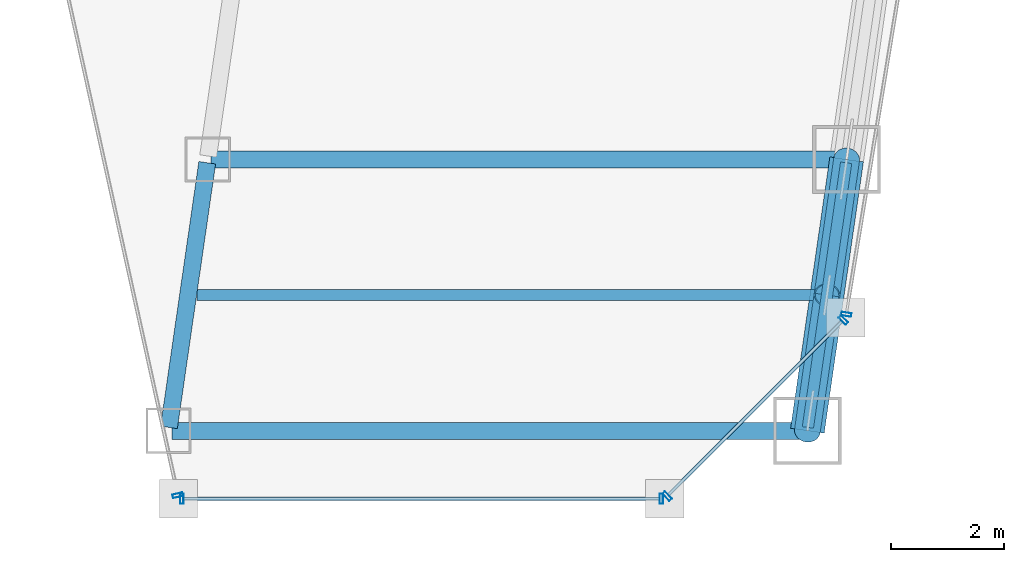
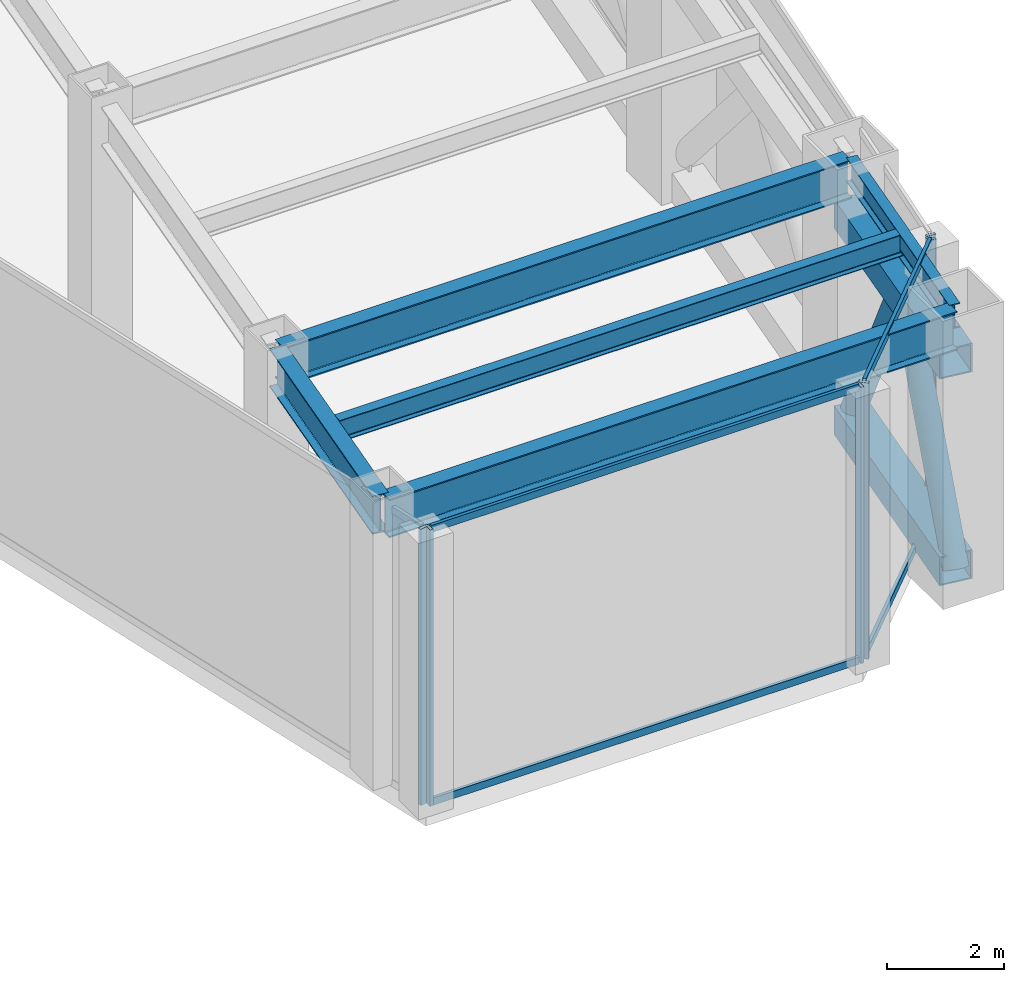
# One storey, part 13 of 35: 14 members, 5 beams, 4 elements without a shape of their own.
"""IFC4 building model written with IfcOpenShell, lengths in metres."""

import ifcopenshell
import ifcopenshell.guid

model = None  # the IFC model being written
_history = None  # IfcOwnerHistory: only IFC2X3 demands one
_inside = {}  # id of a spatial element -> (the spatial element, [elements in it])
_under = {}  # id of a project, library or spatial element -> (it, [spatial elements below it])
_declared = {}  # id of a project -> (the project, [libraries it declares])
_typed = {}  # id of a type object -> (the type object, [elements of that type])
_made_of = {}  # id of a material, layer set ... -> (it, [elements and type objects made of it])


def new_model(schema):
    """Start an empty IFC model of exactly this schema.

    Asked for "IFC4X3", IfcOpenShell would pick the latest addendum, in which some entities
    have other attributes; the version numbers below select the first issue.
    IFC2X3 requires an IfcOwnerHistory on every rooted entity: one is made here for all.
    """
    global model, _history
    if schema == "IFC4X3":
        model = ifcopenshell.file(schema_version=(4, 3, 0, 0))
    else:
        model = ifcopenshell.file(schema=schema)
    _inside.clear()
    _under.clear()
    _declared.clear()
    _typed.clear()
    _made_of.clear()
    _history = None
    if model.schema == "IFC2X3":
        org = make("IfcOrganization", Name="unknown")
        user = make(
            "IfcPersonAndOrganization",
            ThePerson=make("IfcPerson", FamilyName="unknown"),
            TheOrganization=org,
        )
        app = make(
            "IfcApplication",
            ApplicationDeveloper=org,
            Version="unknown",
            ApplicationFullName="unknown",
            ApplicationIdentifier="unknown",
        )
        _history = make(
            "IfcOwnerHistory",
            OwningUser=user,
            OwningApplication=app,
            ChangeAction="ADDED",
            CreationDate=0,
        )
    return model


def make(cls, **values):
    """One entity of the class cls with the attributes given. An attribute that is None is left unset."""
    return model.create_entity(
        cls, **{name: value for name, value in values.items() if value is not None}
    )


def rooted(cls, **values):
    """An entity with a GlobalId (a new one), such as an element, a storey or a relation."""
    return make(cls, GlobalId=ifcopenshell.guid.new(), OwnerHistory=_history, **values)


def si_unit(unit_type, name, prefix=None):
    """IfcSIUnit, for example si_unit("LENGTHUNIT", "METRE", prefix="MILLI")."""
    return make("IfcSIUnit", UnitType=unit_type, Prefix=prefix, Name=name)


def assignment(units):
    """IfcUnitAssignment: the units of a project."""
    return None if units is None else make("IfcUnitAssignment", Units=units)


def point(xyz):
    """IfcCartesianPoint."""
    return None if xyz is None else make("IfcCartesianPoint", Coordinates=xyz)


def direction(xyz):
    """IfcDirection."""
    return None if xyz is None else make("IfcDirection", DirectionRatios=xyz)


def frame(location, z_axis=None, x_axis=None):
    """IfcAxis2Placement3D, a coordinate frame: its origin and axes. An axis left out is left unset."""
    return make(
        "IfcAxis2Placement3D",
        Location=point(location),
        Axis=direction(z_axis),
        RefDirection=direction(x_axis),
    )


def frame_2d(location, x_axis=None):
    """IfcAxis2Placement2D, a coordinate frame in the plane: its origin and x axis."""
    return make(
        "IfcAxis2Placement2D", Location=point(location), RefDirection=direction(x_axis)
    )


def origin():
    """The frame at (0, 0, 0) with its axes left unset."""
    return frame((0.0, 0.0, 0.0))


def origin_2d():
    """The frame at (0, 0) in the plane with its x axis left unset."""
    return frame_2d((0.0, 0.0))


def place(relative_to, where):
    """IfcLocalPlacement: puts the frame where relative to a parent placement (None: the world)."""
    return make(
        "IfcLocalPlacement", PlacementRelTo=relative_to, RelativePlacement=where
    )


def context(
    kind, dimensions, precision=None, world=None, true_north=None, identifier=None
):
    """IfcGeometricRepresentationContext, for example the 3D "Model" context."""
    return make(
        "IfcGeometricRepresentationContext",
        ContextIdentifier=identifier,
        ContextType=kind,
        CoordinateSpaceDimension=dimensions,
        Precision=precision,
        WorldCoordinateSystem=world,
        TrueNorth=true_north,
    )


def subcontext(parent, identifier, kind, view, scale=None):
    """IfcGeometricRepresentationSubContext, for example "Body" below "Model"."""
    return make(
        "IfcGeometricRepresentationSubContext",
        ContextIdentifier=identifier,
        ContextType=kind,
        ParentContext=parent,
        TargetScale=scale,
        TargetView=view,
    )


def project(units=None, contexts=None):
    """IfcProject with its units and contexts."""
    return rooted(
        "IfcProject",
        Name="project",
        RepresentationContexts=contexts,
        UnitsInContext=assignment(units),
    )


def spatial(cls, under=None, at=None, **own):
    """A site, building, storey or space (cls), placed at a placement, below another one or the project."""
    s = rooted(cls, ObjectPlacement=at, **own)
    if under is not None:
        _under.setdefault(under.id(), (under, []))[1].append(s)
    return s


def profile(cls, at=None, kind="AREA", **sizes):
    """A parametric profile (cls). Its sizes go by their IFC names, for example OverallWidth=200.0."""
    return make(cls, ProfileType=kind, Position=at, **sizes)


def hollow_rectangle(**sizes):
    """IfcRectangleHollowProfileDef."""
    return profile("IfcRectangleHollowProfileDef", **sizes)


def hollow_circle(**sizes):
    """IfcCircleHollowProfileDef."""
    return profile("IfcCircleHollowProfileDef", **sizes)


def i_section(**sizes):
    """IfcIShapeProfileDef."""
    return profile("IfcIShapeProfileDef", **sizes)


def extrude(swept, where, along, depth):
    """IfcExtrudedAreaSolid: the profile swept, set in the frame where, extruded along a direction by depth."""
    return make(
        "IfcExtrudedAreaSolid",
        SweptArea=swept,
        Position=where,
        ExtrudedDirection=direction(along),
        Depth=depth,
    )


def shape(context_of_items, identifier, shape_type, items):
    """IfcShapeRepresentation: the items that make up one representation, for example the "Body"."""
    return make(
        "IfcShapeRepresentation",
        ContextOfItems=context_of_items,
        RepresentationIdentifier=identifier,
        RepresentationType=shape_type,
        Items=items,
    )


def material(Name=None, Category=None):
    """IfcMaterial."""
    return make("IfcMaterial", Name=Name, Category=Category)


def material_profile(
    of_material, cross_section, Name=None, Category=None, Priority=None
):
    """IfcMaterialProfile: a cross section and its material."""
    return make(
        "IfcMaterialProfile",
        Name=Name,
        Material=of_material,
        Profile=cross_section,
        Priority=Priority,
        Category=Category,
    )


def profile_set(profiles, Name=None, composite=None):
    """IfcMaterialProfileSet."""
    return make(
        "IfcMaterialProfileSet",
        Name=Name,
        MaterialProfiles=profiles,
        CompositeProfile=composite,
    )


def made_of(thing, what):
    """Note that an element or type object is made of a material, layer set ...; save() writes the relation."""
    if what is not None:
        _made_of.setdefault(what.id(), (what, []))[1].append(thing)
    return thing


def type_object(cls, material=None, **own):
    """A type object (cls), such as IfcWallType, which elements share."""
    return made_of(rooted(cls, **own), material)


def element(
    cls,
    number,
    at=None,
    inside=None,
    cuts=None,
    type_object=None,
    material=None,
    context=None,
    identifier="Body",
    shape_type=None,
    held_by="IfcProductDefinitionShape",
    body=None,
    shapes=None,
    **own,
):
    """One element of the class cls, such as IfcWall. Its Tag is "e" and its number.

    at: its placement. inside: the storey or other place that contains it. cuts: it is an
    opening in that element (IfcRelVoidsElement). A single representation is given by context,
    identifier, shape_type and body (its items); several are given by shapes. held_by: the class
    of the entity that holds the representations. save() writes the other relations.
    """
    e = rooted(cls, Tag="e%d" % number, ObjectPlacement=at, **own)
    if body is not None:
        shapes = [shape(context, identifier, shape_type, body)]
    if shapes is not None:
        e.Representation = make(held_by, Representations=shapes)
    if inside is not None:
        _inside.setdefault(inside.id(), (inside, []))[1].append(e)
    if cuts is not None:
        rooted(
            "IfcRelVoidsElement", RelatingBuildingElement=cuts, RelatedOpeningElement=e
        )
    if type_object is not None:
        _typed.setdefault(type_object.id(), (type_object, []))[1].append(e)
    return made_of(e, material)


def aggregate(whole, parts):
    """IfcRelAggregates: a whole, such as a stair, and the parts it consists of."""
    return rooted("IfcRelAggregates", RelatingObject=whole, RelatedObjects=parts)


def save(model, path):
    """Write the relations noted so far, then the file.

    IfcRelAggregates (storeys below a building ...), IfcRelContainedInSpatialStructure (elements
    in a storey), IfcRelDefinesByType, IfcRelAssociatesMaterial and IfcRelDeclares: one each for
    every whole, place, type object, material and project.
    """
    for whole, parts in _under.values():
        aggregate(whole, parts)
    for where, things in _inside.values():
        rooted(
            "IfcRelContainedInSpatialStructure",
            RelatedElements=things,
            RelatingStructure=where,
        )
    for kind, things in _typed.values():
        rooted("IfcRelDefinesByType", RelatedObjects=things, RelatingType=kind)
    for what, things in _made_of.values():
        rooted("IfcRelAssociatesMaterial", RelatedObjects=things, RelatingMaterial=what)
    for by, libraries in _declared.values():
        rooted("IfcRelDeclares", RelatingContext=by, RelatedDefinitions=libraries)
    model.write(path)


model = new_model("IFC4")

# Units and contexts
model_context = context("Model", 3, precision=1e-05, world=origin(), true_north=direction((0.0, 1.0)))
body_context = subcontext(model_context, "Body", "Model", "MODEL_VIEW")
ifc_project = project(units=[si_unit("LENGTHUNIT", "METRE"), si_unit("AREAUNIT", "SQUARE_METRE"), si_unit("VOLUMEUNIT", "CUBIC_METRE"), si_unit("PLANEANGLEUNIT", "RADIAN"), si_unit("MASSUNIT", "GRAM", prefix="KILO")], contexts=[model_context])

# Site, building, storey
site_placement = place(None, origin())
site = spatial("IfcSite", under=ifc_project, at=site_placement, CompositionType="ELEMENT")
building_placement = place(site_placement, origin())
building = spatial("IfcBuilding", under=site, at=building_placement, Name="Saevonmaru Cultural Tower", CompositionType="ELEMENT")
storey_placement = place(building_placement, frame((0.0, 0.0, 86.800048828125)))
storey = spatial("IfcBuildingStorey", under=building, at=storey_placement, Name="L18", CompositionType="ELEMENT", Elevation=86.800048828125)

# Beams
ifc_material_1 = material(Name="Steel SM420", Category="steel")
ifc_material_profile_1 = material_profile(ifc_material_1, i_section(OverallWidth=0.300048828125, OverallDepth=0.800048828125, WebThickness=0.013916015625, FlangeThickness=0.02587890625, FilletRadius=0.028076171875, at=origin_2d()), Name="H-800x300x14x26")
ifc_profile_set_1 = profile_set([ifc_material_profile_1], Name="Steel SM420")
beam_type_1 = type_object("IfcBeamType", Name="BM-G-H800", PredefinedType="BEAM", material=ifc_profile_set_1)
beam_1_placement = place(storey_placement, frame((36.231689453125, 3.259521484375, 5.349853515625), z_axis=(0.143083234893, 0.989710658674, 0.0), x_axis=(-0.989710658674, 0.143083234893, 0.0)))
element("IfcBeam", 1, at=beam_1_placement, inside=storey, type_object=beam_type_1, Name="L18 East Atrium Girder 1", PredefinedType="BEAM", context=body_context, shape_type="SweptSolid", body=[
    extrude(i_section(OverallWidth=0.300048828125, OverallDepth=0.800048828125, WebThickness=0.013916015625, FlangeThickness=0.02587890625, FilletRadius=0.028076171875, at=origin_2d()), origin(), (0.0, 0.0, 1.0), 4.729736328125),
])
for number, where, z_axis, x_axis, name in (
    (2, (36.282958984375, 3.199951171875, 5.349853515625), (1.0, 0.0, 0.0), (0.0, 1.0, 0.0), "L18 East Wing Transverse Girder 1"),
    (3, (36.97705078125, 8.0, 5.349853515625), (1.0, 0.0, 0.0), (0.0, 1.0, 0.0), "L18 East Wing Transverse Girder 2"),
):
    element("IfcBeam", number, at=place(storey_placement, frame(where, z_axis=z_axis, x_axis=x_axis)), inside=storey, type_object=beam_type_1, Name=name, PredefinedType="BEAM", context=body_context, shape_type="SweptSolid", body=[
        extrude(i_section(OverallWidth=0.300048828125, OverallDepth=0.800048828125, WebThickness=0.013916015625, FlangeThickness=0.02587890625, FilletRadius=0.028076171875, at=origin_2d()), origin(), (0.0, 0.0, 1.0), 11.179931640625),
    ])
ifc_material_2 = material(Name="Steel SM355", Category="steel")
ifc_material_profile_2 = material_profile(ifc_material_2, i_section(OverallWidth=0.199951171875, OverallDepth=0.449951171875, WebThickness=0.009033203125, FlangeThickness=0.013916015625, FilletRadius=0.01806640625, at=origin_2d()), Name="H-450x200x9x14")
ifc_profile_set_2 = profile_set([ifc_material_profile_2], Name="Steel SM355")
beam_type_2 = type_object("IfcBeamType", Name="BM-J-H450", PredefinedType="JOIST", material=ifc_profile_set_2)
beam_2_placement = place(storey_placement, frame((36.72802734375, 5.60009765625, 5.52490234375), z_axis=(1.0, 0.0, 0.0), x_axis=(0.0, 1.0, 0.0)))
element("IfcBeam", 4, at=beam_2_placement, inside=storey, type_object=beam_type_2, Name="L18 East Wing Floor Joist 1", PredefinedType="JOIST", context=body_context, shape_type="SweptSolid", body=[
    extrude(i_section(OverallWidth=0.199951171875, OverallDepth=0.449951171875, WebThickness=0.009033203125, FlangeThickness=0.013916015625, FilletRadius=0.01806640625, at=origin_2d()), origin(), (0.0, 0.0, 1.0), 11.08203125),
])
ifc_material_profile_3 = material_profile(ifc_material_2, i_section(OverallWidth=0.199951171875, OverallDepth=0.5, WebThickness=0.010009765625, FlangeThickness=0.01611328125, FilletRadius=0.02001953125, at=origin_2d()), Name="H-500x200x10x16")
ifc_profile_set_3 = profile_set([ifc_material_profile_3], Name="Steel SM355")
beam_type_3 = type_object("IfcBeamType", Name="BM-SP-H500", PredefinedType="SPANDREL", material=ifc_profile_set_3)
beam_3_placement = place(storey_placement, frame((47.531494140625, 3.259521484375, 5.5), z_axis=(0.14313379491, 0.989703347855, 0.0), x_axis=(-0.989703347855, 0.14313379491, 0.0)))
element("IfcBeam", 5, at=beam_3_placement, inside=storey, type_object=beam_type_3, Name="L18 East Splayed Spandrel 1", PredefinedType="SPANDREL", context=body_context, shape_type="SweptSolid", body=[
    extrude(i_section(OverallWidth=0.199951171875, OverallDepth=0.5, WebThickness=0.010009765625, FlangeThickness=0.01611328125, FilletRadius=0.02001953125, at=origin_2d()), origin(), (0.0, 0.0, 1.0), 4.729736328125),
])

# Members
ifc_material_profile_4 = material_profile(ifc_material_1, hollow_circle(Radius=0.228515625, WallThickness=0.02001953125, at=origin_2d()), Name="CHS-457.2x20")
ifc_profile_set_4 = profile_set([ifc_material_profile_4], Name="Steel SM420")
member_type_1 = type_object("IfcMemberType", Name="MB-BBR-CHS457", PredefinedType="BRACE", material=ifc_profile_set_4)
for number, where, z_axis, x_axis, name in (
    (6, (47.52294921875, 3.199951171875, 0.300048828125), (0.070325997619, 0.486198932905, 0.871013692028), (-0.989700324196, 0.14315470054, 0.0), "L18 Belt Truss Diagonal BE1-1"),
    (7, (48.217041015625, 8.0, 0.300048828125), (-0.070278476077, -0.486162857025, 0.871037664082), (0.989712522053, -0.143070345253, 0.0), "L18 Belt Truss Diagonal BE1-2"),
):
    element("IfcMember", number, at=place(storey_placement, frame(where, z_axis=z_axis, x_axis=x_axis)), inside=storey, type_object=member_type_1, Name=name, PredefinedType="BRACE", context=body_context, shape_type="SweptSolid", body=[
        extrude(hollow_circle(Radius=0.228515625, WallThickness=0.02001953125, at=origin_2d()), origin(), (0.0, 0.0, 1.0), 4.9365234375),
    ])
ifc_material_profile_5 = material_profile(ifc_material_1, hollow_rectangle(XDim=0.60009765625, YDim=0.60009765625, WallThickness=0.028076171875, at=origin_2d()), Name="BOX-600x600x28")
ifc_profile_set_5 = profile_set([ifc_material_profile_5], Name="Steel SM420")
member_type_2 = type_object("IfcMemberType", Name="MB-BCH-BOX600", PredefinedType="CHORD", material=ifc_profile_set_5)
for number, where, z_axis, x_axis, name in (
    (8, (47.52294921875, 3.199951171875, 0.300048828125), (0.143112525432, 0.989706423676, 0.0), (-0.989706423676, 0.143112525432, 0.0), "L18 Belt Truss Bottom Chord BE1"),
    (9, (47.52294921875, 3.199951171875, 4.599853515625), (0.143112525432, 0.989706423676, 0.0), (-0.989706423676, 0.143112525432, 0.0), "L18 Belt Truss Top Chord BE1"),
):
    element("IfcMember", number, at=place(storey_placement, frame(where, z_axis=z_axis, x_axis=x_axis)), inside=storey, type_object=member_type_2, Name=name, PredefinedType="CHORD", context=body_context, shape_type="SweptSolid", body=[
        extrude(hollow_rectangle(XDim=0.60009765625, YDim=0.60009765625, WallThickness=0.028076171875, at=origin_2d()), origin(), (0.0, 0.0, 1.0), 4.849853515625),
    ])

# Curtain wall, member
ifc_material_3 = material(Name="Satin Bronze Anodised Aluminium", Category="aluminium")
curtain_wall_type = type_object("IfcCurtainWallType", Name="CW-TYP-A", PredefinedType="NOTDEFINED", material=ifc_material_3)
curtain_wall_1_placement = place(storey_placement, origin())
curtain_wall_1 = element("IfcCurtainWall", 10, at=curtain_wall_1_placement, inside=storey, type_object=curtain_wall_type, Name="L18 Wind-Floor Acoustic Louvre Screen E5", PredefinedType="NOTDEFINED")
ifc_material_profile_6 = material_profile(ifc_material_3, hollow_rectangle(XDim=0.06494140625, YDim=0.179931640625, WallThickness=0.00390625, at=origin_2d()), Name="ALU-MULL-180x65x4")
ifc_profile_set_6 = profile_set([ifc_material_profile_6], Name="Satin Bronze Anodised Aluminium")
member_type_3 = type_object("IfcMemberType", Name="ML-CW-180x65", PredefinedType="MULLION", material=ifc_profile_set_6)
member_1_placement = place(storey_placement, frame((36.38720703125, 2.05859375, 0.0), z_axis=(0.0, 0.0, 1.0), x_axis=(0.215413319953, -0.976522965212, 0.0)))
member_1 = element("IfcMember", 11, at=member_1_placement, type_object=member_type_3, Name="CW-TW-L18-E5 mullion 2", PredefinedType="MULLION", context=body_context, shape_type="SweptSolid", body=[
    extrude(hollow_rectangle(XDim=0.06494140625, YDim=0.179931640625, WallThickness=0.00390625, at=origin_2d()), origin(), (0.0, 0.0, 1.0), 5.75),
])
aggregate(curtain_wall_1, [member_1])

# Curtain wall, members
curtain_wall_2_placement = place(storey_placement, origin())
curtain_wall_2 = element("IfcCurtainWall", 12, at=curtain_wall_2_placement, inside=storey, type_object=curtain_wall_type, Name="L18 Wind-Floor Acoustic Louvre Screen E6", PredefinedType="NOTDEFINED")
member_2_placement = place(storey_placement, frame((36.4599609375, 2.0, 0.0), z_axis=(0.0, 0.0, 1.0), x_axis=(1.0, 0.0, 0.0)))
member_2 = element("IfcMember", 13, at=member_2_placement, type_object=member_type_3, Name="CW-TW-L18-E6 mullion 1", PredefinedType="MULLION", context=body_context, shape_type="SweptSolid", body=[
    extrude(hollow_rectangle(XDim=0.06494140625, YDim=0.179931640625, WallThickness=0.00390625, at=origin_2d()), origin(), (0.0, 0.0, 1.0), 5.75),
])
member_3_placement = place(storey_placement, frame((44.93994140625, 2.0, 0.0), z_axis=(0.0, 0.0, 1.0), x_axis=(1.0, 0.0, 0.0)))
member_3 = element("IfcMember", 14, at=member_3_placement, type_object=member_type_3, Name="CW-TW-L18-E6 mullion 2", PredefinedType="MULLION", context=body_context, shape_type="SweptSolid", body=[
    extrude(hollow_rectangle(XDim=0.06494140625, YDim=0.179931640625, WallThickness=0.00390625, at=origin_2d()), origin(), (0.0, 0.0, 1.0), 5.75),
])

curtain_wall_3_placement = place(storey_placement, origin())
curtain_wall_3 = element("IfcCurtainWall", 15, at=curtain_wall_3_placement, inside=storey, type_object=curtain_wall_type, Name="L18 Wind-Floor Acoustic Louvre Screen E7", PredefinedType="NOTDEFINED")
member_4_placement = place(storey_placement, frame((45.04248046875, 2.04248046875, 0.0), z_axis=(0.0, 0.0, 1.0), x_axis=(0.707106781187, 0.707106781187, 0.0)))
member_4 = element("IfcMember", 16, at=member_4_placement, type_object=member_type_3, Name="CW-TW-L18-E7 mullion 1", PredefinedType="MULLION", context=body_context, shape_type="SweptSolid", body=[
    extrude(hollow_rectangle(XDim=0.06494140625, YDim=0.179931640625, WallThickness=0.00390625, at=origin_2d()), origin(), (0.0, 0.0, 1.0), 5.75),
])
member_5_placement = place(storey_placement, frame((48.15771484375, 5.15771484375, 0.0), z_axis=(0.0, 0.0, 1.0), x_axis=(0.707106781187, 0.707106781187, 0.0)))
member_5 = element("IfcMember", 17, at=member_5_placement, type_object=member_type_3, Name="CW-TW-L18-E7 mullion 2", PredefinedType="MULLION", context=body_context, shape_type="SweptSolid", body=[
    extrude(hollow_rectangle(XDim=0.06494140625, YDim=0.179931640625, WallThickness=0.00390625, at=origin_2d()), origin(), (0.0, 0.0, 1.0), 5.75),
])

# Curtain wall, member
curtain_wall_4_placement = place(storey_placement, origin())
curtain_wall_4 = element("IfcCurtainWall", 18, at=curtain_wall_4_placement, inside=storey, type_object=curtain_wall_type, Name="L18 Wind-Floor Acoustic Louvre Screen E8", PredefinedType="NOTDEFINED")
member_6_placement = place(storey_placement, frame((48.209716796875, 5.25927734375, 0.0), z_axis=(0.0, 0.0, 1.0), x_axis=(0.161708868641, 0.986838508472, 0.0)))
member_6 = element("IfcMember", 19, at=member_6_placement, type_object=member_type_3, Name="CW-TW-L18-E8 mullion 1", PredefinedType="MULLION", context=body_context, shape_type="SweptSolid", body=[
    extrude(hollow_rectangle(XDim=0.06494140625, YDim=0.179931640625, WallThickness=0.00390625, at=origin_2d()), origin(), (0.0, 0.0, 1.0), 5.75),
])
aggregate(curtain_wall_4, [member_6])

# Member
ifc_material_profile_7 = material_profile(ifc_material_3, hollow_rectangle(XDim=0.06494140625, YDim=0.14990234375, WallThickness=0.00390625, at=origin_2d()), Name="ALU-TRAN-150x65x4")
ifc_profile_set_7 = profile_set([ifc_material_profile_7], Name="Satin Bronze Anodised Aluminium")
member_type_4 = type_object("IfcMemberType", Name="TR-CW-150x65", PredefinedType="USERDEFINED", material=ifc_profile_set_7)
member_7_placement = place(storey_placement, frame((36.492431640625, 2.0, 0.032470703125), z_axis=(1.0, 0.0, 0.0), x_axis=(0.0, 1.0, 0.0)))
member_7 = element("IfcMember", 20, at=member_7_placement, type_object=member_type_4, Name="CW-TW-L18-E6 transom 1.1", ObjectType="TRANSOM", PredefinedType="USERDEFINED", context=body_context, shape_type="SweptSolid", body=[
    extrude(hollow_rectangle(XDim=0.06494140625, YDim=0.14990234375, WallThickness=0.00390625, at=origin_2d()), origin(), (0.0, 0.0, 1.0), 8.4150390625),
])

member_8_placement = place(storey_placement, frame((36.492431640625, 2.0, 5.717529296875), z_axis=(1.0, 0.0, 0.0), x_axis=(0.0, 1.0, 0.0)))
member_8 = element("IfcMember", 21, at=member_8_placement, type_object=member_type_4, Name="CW-TW-L18-E6 transom 1.2", ObjectType="TRANSOM", PredefinedType="USERDEFINED", context=body_context, shape_type="SweptSolid", body=[
    extrude(hollow_rectangle(XDim=0.06494140625, YDim=0.14990234375, WallThickness=0.00390625, at=origin_2d()), origin(), (0.0, 0.0, 1.0), 8.4150390625),
])

aggregate(curtain_wall_2, [member_2, member_3, member_7, member_8])

member_9_placement = place(storey_placement, frame((45.0654296875, 2.0654296875, 0.032470703125), z_axis=(0.707106781187, 0.707106781187, 0.0), x_axis=(-0.707106781187, 0.707106781187, 0.0)))
member_9 = element("IfcMember", 22, at=member_9_placement, type_object=member_type_4, Name="CW-TW-L18-E7 transom 1.1", ObjectType="TRANSOM", PredefinedType="USERDEFINED", context=body_context, shape_type="SweptSolid", body=[
    extrude(hollow_rectangle(XDim=0.06494140625, YDim=0.14990234375, WallThickness=0.00390625, at=origin_2d()), origin(), (0.0, 0.0, 1.0), 4.34033203125),
])

member_10_placement = place(storey_placement, frame((45.0654296875, 2.0654296875, 5.717529296875), z_axis=(0.707106781187, 0.707106781187, 0.0), x_axis=(-0.707106781187, 0.707106781187, 0.0)))
member_10 = element("IfcMember", 23, at=member_10_placement, type_object=member_type_4, Name="CW-TW-L18-E7 transom 1.2", ObjectType="TRANSOM", PredefinedType="USERDEFINED", context=body_context, shape_type="SweptSolid", body=[
    extrude(hollow_rectangle(XDim=0.06494140625, YDim=0.14990234375, WallThickness=0.00390625, at=origin_2d()), origin(), (0.0, 0.0, 1.0), 4.34033203125),
])

aggregate(curtain_wall_3, [member_4, member_5, member_9, member_10])

save(model, "model.ifc")
